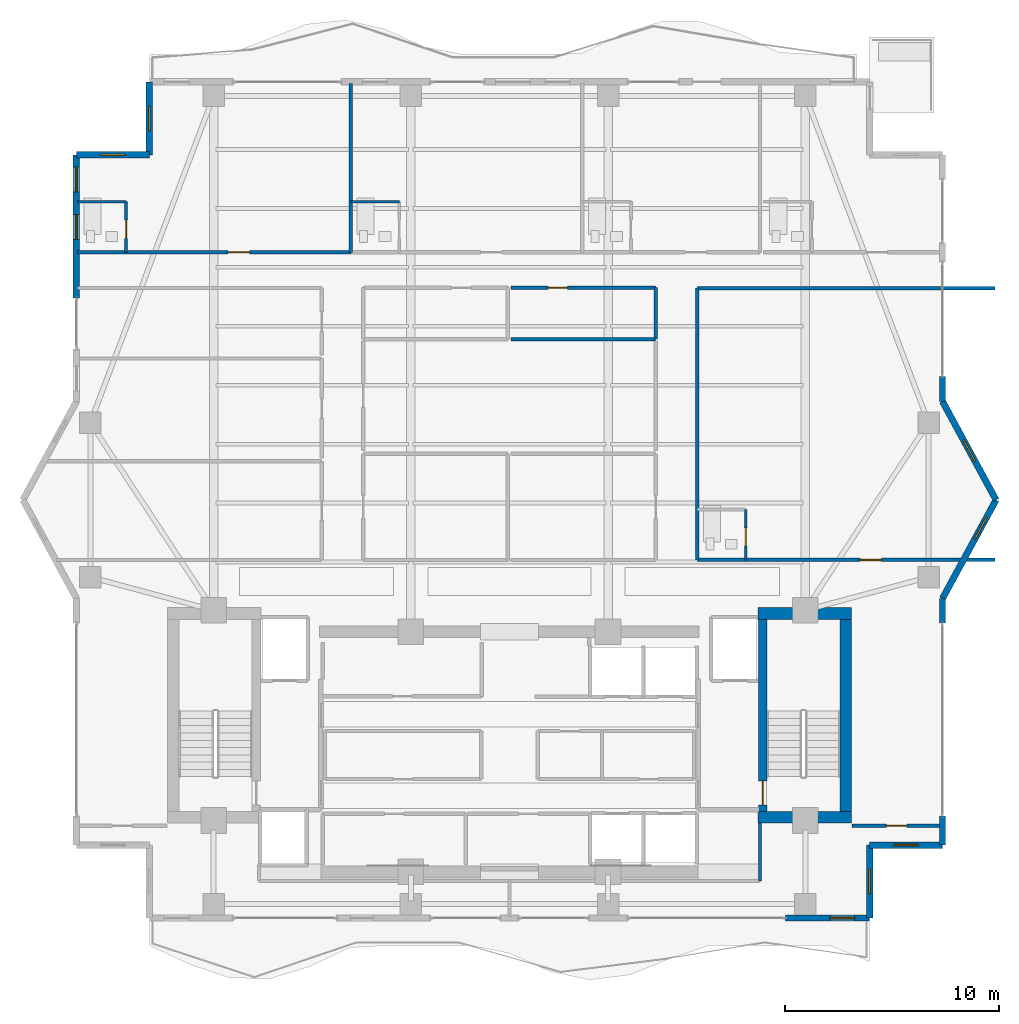
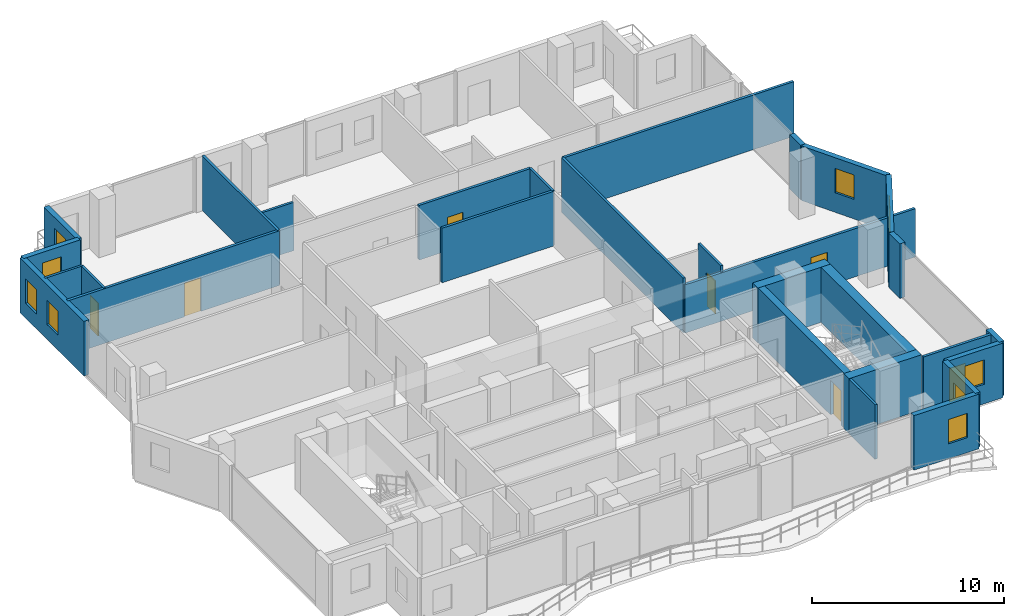
# One storey, part 19 of 23: 29 walls, 9 windows, 7 doors, 16 openings.
"""IFC4 building model written with IfcOpenShell, lengths in metres."""

from ifc_helpers import new_model, si_unit, direction, frame, frame_2d, origin, place, context, subcontext, project, spatial, rectangle, extrude, material, layer, layer_set, type_object, element, fill, save


model = new_model("IFC4")

# Units and contexts
model_context = context("Model", 3, precision=1e-05, world=origin(), true_north=direction((0.0, 1.0)))
body_context = subcontext(model_context, "Body", "Model", "MODEL_VIEW")
ifc_project = project(units=[si_unit("LENGTHUNIT", "METRE"), si_unit("AREAUNIT", "SQUARE_METRE"), si_unit("VOLUMEUNIT", "CUBIC_METRE"), si_unit("PLANEANGLEUNIT", "RADIAN"), si_unit("MASSUNIT", "GRAM", prefix="KILO")], contexts=[model_context])

# Site, building, storey
site_placement = place(None, origin())
site = spatial("IfcSite", under=ifc_project, at=site_placement, CompositionType="ELEMENT")
building_placement = place(site_placement, origin())
building = spatial("IfcBuilding", under=site, at=building_placement, Name="Zuhayl Quay Hotel", CompositionType="ELEMENT")
storey_placement = place(building_placement, frame((0.0, 0.0, 261.85009765625)))
storey = spatial("IfcBuildingStorey", under=building, at=storey_placement, Name="L66", CompositionType="ELEMENT", Elevation=261.85009765625)

# Walls
ifc_material_1 = material(Name="Concrete C50/60", Category="concrete")
ifc_layer_1 = layer(ifc_material_1, 0.550048828125, Name="Concrete C50/60", Category="concrete")
ifc_layer_set_1 = layer_set([ifc_layer_1], Name="Concrete C50/60")
wall_type_1 = type_object("IfcWallType", Name="WL_CORE_550", PredefinedType="SHEAR", material=ifc_layer_set_1)
wall_1_placement = place(storey_placement, frame((11.60009765625, 14.205078125, 0.0), z_axis=(0.0, 0.0, 1.0), x_axis=(1.0, 0.0, 0.0)))
element("IfcWall", 1, at=wall_1_placement, inside=storey, type_object=wall_type_1, Name="L66 Core Shear Wall CW_NE", PredefinedType="SHEAR", context=body_context, shape_type="SweptSolid", body=[
    extrude(rectangle(XDim=4.35986328125, YDim=0.550048828125, at=frame_2d((2.179931640625, 0.0))), origin(), (0.0, 0.0, 1.0), 3.510009765625),
])
wall_2_placement = place(storey_placement, frame((15.68505859375, 4.969970703125, 0.0), z_axis=(0.0, 0.0, 1.0), x_axis=(0.0, 1.0, 0.0)))
element("IfcWall", 2, at=wall_2_placement, inside=storey, type_object=wall_type_1, Name="L66 Core Shear Wall CW_E", PredefinedType="SHEAR", context=body_context, shape_type="SweptSolid", body=[
    extrude(rectangle(XDim=8.9599609375, YDim=0.550048828125, at=frame_2d((4.47998046875, 0.0))), origin(), (0.0, 0.0, 1.0), 3.510009765625),
])
wall_3_placement = place(storey_placement, frame((11.60009765625, 4.695068359375, 0.0), z_axis=(0.0, 0.0, 1.0), x_axis=(1.0, 0.0, 0.0)))
element("IfcWall", 3, at=wall_3_placement, inside=storey, type_object=wall_type_1, Name="L66 Core Shear Wall CW_SE", PredefinedType="SHEAR", context=body_context, shape_type="SweptSolid", body=[
    extrude(rectangle(XDim=4.35986328125, YDim=0.550048828125, at=frame_2d((2.179931640625, 0.0))), origin(), (0.0, 0.0, 1.0), 3.510009765625),
])

# Wall, openings, windows
ifc_material_2 = material(Name="Precast concrete C45/55", Category="concrete")
ifc_layer_2 = layer(ifc_material_2, 0.300048828125, Name="Precast concrete C45/55", Category="concrete")
ifc_layer_set_2 = layer_set([ifc_layer_2], Name="Precast concrete C45/55")
wall_type_2 = type_object("IfcWallType", Name="WL_EXT_300", PredefinedType="STANDARD", material=ifc_layer_set_2)
wall_4_placement = place(storey_placement, frame((-20.199951171875, 28.929931640625, 0.0), z_axis=(0.0, 0.0, 1.0), x_axis=(0.0, 1.0, 0.0)))
wall_4 = element("IfcWall", 4, at=wall_4_placement, inside=storey, type_object=wall_type_2, Name="L66 Exterior Precast Wall ENV_L66_E05_EW2", PredefinedType="STANDARD", context=body_context, shape_type="SweptSolid", body=[
    extrude(rectangle(XDim=6.670166015625, YDim=0.300048828125, at=frame_2d((3.3349609375, 0.0))), origin(), (0.0, 0.0, 1.0), 3.47998046875),
])
opening_1_placement = place(wall_4_placement, frame((2.72509765625, 0.0, 0.949951171875)))
opening_1 = element("IfcOpeningElement", 5, at=opening_1_placement, cuts=wall_4, Name="Opening W01N", PredefinedType="OPENING", context=body_context, shape_type="SweptSolid", body=[
    extrude(rectangle(XDim=1.14990234375, YDim=1.550048828125, at=frame_2d((0.574951171875, 0.77490234375))), frame((0.0, 0.159912109375, 0.0), z_axis=(0.0, -1.0, 0.0), x_axis=(1.0, 0.0, 0.0)), (0.0, 0.0, 1.0), 0.320068359375),
])
opening_2_placement = place(wall_4_placement, frame((4.93994140625, 0.0, 0.949951171875)))
opening_2 = element("IfcOpeningElement", 6, at=opening_2_placement, cuts=wall_4, Name="Opening W01N", PredefinedType="OPENING", context=body_context, shape_type="SweptSolid", body=[
    extrude(rectangle(XDim=1.14990234375, YDim=1.550048828125, at=frame_2d((0.574951171875, 0.77490234375))), frame((0.0, 0.159912109375, 0.0), z_axis=(0.0, -1.0, 0.0), x_axis=(1.0, 0.0, 0.0)), (0.0, 0.0, 1.0), 0.320068359375),
])
ifc_material_3 = material(Name="Dark Ceramic-Fritted Solar Glass", Category="glass")
window_type = type_object("IfcWindowType", Name="WN_NOTCH_1350", PartitioningType="SINGLE_PANEL", PredefinedType="WINDOW", material=ifc_material_3)
window_1_placement = place(opening_1_placement, origin())
window_1 = element("IfcWindow", 7, at=window_1_placement, inside=storey, type_object=window_type, Name="L66 Operable Facade Window 2-1", OverallHeight=1.550048828125, OverallWidth=1.14990234375, PartitioningType="SINGLE_PANEL", PredefinedType="WINDOW", context=body_context, shape_type="SweptSolid", body=[
    extrude(rectangle(XDim=1.14990234375, YDim=1.550048828125, at=frame_2d((0.574951171875, 0.77490234375))), frame((0.0, 0.030029296875, 0.0), z_axis=(0.0, -1.0, 0.0), x_axis=(1.0, 0.0, 0.0)), (0.0, 0.0, 1.0), 0.06005859375),
])
fill(opening_1, window_1)
window_2_placement = place(opening_2_placement, origin())
window_2 = element("IfcWindow", 8, at=window_2_placement, inside=storey, type_object=window_type, Name="L66 Operable Facade Window 2-2", OverallHeight=1.550048828125, OverallWidth=1.14990234375, PartitioningType="SINGLE_PANEL", PredefinedType="WINDOW", context=body_context, shape_type="SweptSolid", body=[
    extrude(rectangle(XDim=1.14990234375, YDim=1.550048828125, at=frame_2d((0.574951171875, 0.77490234375))), frame((0.0, 0.030029296875, 0.0), z_axis=(0.0, -1.0, 0.0), x_axis=(1.0, 0.0, 0.0)), (0.0, 0.0, 1.0), 0.06005859375),
])
fill(opening_2, window_2)

# Wall, opening, window
wall_5_placement = place(storey_placement, frame((-20.199951171875, 35.60009765625, 0.0), z_axis=(0.0, 0.0, 1.0), x_axis=(1.0, 0.0, 0.0)))
wall_5 = element("IfcWall", 9, at=wall_5_placement, inside=storey, type_object=wall_type_2, Name="L66 Exterior Precast Wall ENV_L66_EW06", PredefinedType="STANDARD", context=body_context, shape_type="SweptSolid", body=[
    extrude(rectangle(XDim=3.39990234375, YDim=0.300048828125, at=frame_2d((1.699951171875, 0.0))), origin(), (0.0, 0.0, 1.0), 3.47998046875),
])
opening_3_placement = place(wall_5_placement, frame((1.125, 0.0, 1.25)))
opening_3 = element("IfcOpeningElement", 10, at=opening_3_placement, cuts=wall_5, Name="Opening W01N", PredefinedType="OPENING", context=body_context, shape_type="SweptSolid", body=[
    extrude(rectangle(XDim=1.14990234375, YDim=1.550048828125, at=frame_2d((0.574951171875, 0.77490234375))), frame((0.0, 0.159912109375, 0.0), z_axis=(0.0, -1.0, 0.0), x_axis=(1.0, 0.0, 0.0)), (0.0, 0.0, 1.0), 0.320068359375),
])
window_3_placement = place(opening_3_placement, origin())
window_3 = element("IfcWindow", 11, at=window_3_placement, inside=storey, type_object=window_type, Name="L66 Corner Notch Window 6", OverallHeight=1.550048828125, OverallWidth=1.14990234375, PartitioningType="SINGLE_PANEL", PredefinedType="WINDOW", context=body_context, shape_type="SweptSolid", body=[
    extrude(rectangle(XDim=1.14990234375, YDim=1.550048828125, at=frame_2d((0.574951171875, 0.77490234375))), frame((0.0, 0.030029296875, 0.0), z_axis=(0.0, -1.0, 0.0), x_axis=(1.0, 0.0, 0.0)), (0.0, 0.0, 1.0), 0.06005859375),
])
fill(opening_3, window_3)

wall_6_placement = place(storey_placement, frame((-16.800048828125, 35.60009765625, 0.0), z_axis=(0.0, 0.0, 1.0), x_axis=(0.0, 1.0, 0.0)))
wall_6 = element("IfcWall", 12, at=wall_6_placement, inside=storey, type_object=wall_type_2, Name="L66 Exterior Precast Wall ENV_L66_EW07", PredefinedType="STANDARD", context=body_context, shape_type="SweptSolid", body=[
    extrude(rectangle(XDim=3.39990234375, YDim=0.300048828125, at=frame_2d((1.699951171875, 0.0))), origin(), (0.0, 0.0, 1.0), 3.47998046875),
])
opening_4_placement = place(wall_6_placement, frame((1.125, 0.0, 1.25)))
opening_4 = element("IfcOpeningElement", 13, at=opening_4_placement, cuts=wall_6, Name="Opening W01N", PredefinedType="OPENING", context=body_context, shape_type="SweptSolid", body=[
    extrude(rectangle(XDim=1.14990234375, YDim=1.550048828125, at=frame_2d((0.574951171875, 0.77490234375))), frame((0.0, 0.159912109375, 0.0), z_axis=(0.0, -1.0, 0.0), x_axis=(1.0, 0.0, 0.0)), (0.0, 0.0, 1.0), 0.320068359375),
])
window_4_placement = place(opening_4_placement, origin())
window_4 = element("IfcWindow", 14, at=window_4_placement, inside=storey, type_object=window_type, Name="L66 Corner Notch Window 7", OverallHeight=1.550048828125, OverallWidth=1.14990234375, PartitioningType="SINGLE_PANEL", PredefinedType="WINDOW", context=body_context, shape_type="SweptSolid", body=[
    extrude(rectangle(XDim=1.14990234375, YDim=1.550048828125, at=frame_2d((0.574951171875, 0.77490234375))), frame((0.0, 0.030029296875, 0.0), z_axis=(0.0, -1.0, 0.0), x_axis=(1.0, 0.0, 0.0)), (0.0, 0.0, 1.0), 0.06005859375),
])
fill(opening_4, window_4)

# Wall
wall_7_placement = place(storey_placement, frame((20.199951171875, 25.25, 0.0), z_axis=(0.0, 0.0, 1.0), x_axis=(0.0, -1.0, 0.0)))
element("IfcWall", 15, at=wall_7_placement, inside=storey, type_object=wall_type_2, Name="L66 Exterior Precast Wall ENV_L66_E11_EW3", PredefinedType="STANDARD", context=body_context, shape_type="SweptSolid", body=[
    extrude(rectangle(XDim=1.14990234375, YDim=0.300048828125, at=frame_2d((0.574951171875, 0.0))), origin(), (0.0, 0.0, 1.0), 3.47998046875),
])

# Wall, opening, window
wall_8_placement = place(storey_placement, frame((20.199951171875, 24.10009765625, 0.0), z_axis=(0.0, 0.0, 1.0), x_axis=(0.477505494629, -0.878628762675, 0.0)))
wall_8 = element("IfcWall", 16, at=wall_8_placement, inside=storey, type_object=wall_type_2, Name="L66 Exterior Precast Wall ENV_L66_EW12", PredefinedType="STANDARD", context=body_context, shape_type="SweptSolid", body=[
    extrude(rectangle(XDim=5.235595703125, YDim=0.300048828125, at=frame_2d((2.61767578125, 0.0))), origin(), (0.0, 0.0, 1.0), 3.47998046875),
])
opening_5_placement = place(wall_8_placement, frame((2.042724609375, 0.0, 1.25)))
opening_5 = element("IfcOpeningElement", 17, at=opening_5_placement, cuts=wall_8, Name="Opening W01N", PredefinedType="OPENING", context=body_context, shape_type="SweptSolid", body=[
    extrude(rectangle(XDim=1.14990234375, YDim=1.550048828125, at=frame_2d((0.574951171875, 0.77490234375))), frame((0.0, 0.159912109375, 0.0), z_axis=(0.0, -1.0, 0.0), x_axis=(1.0, 0.0, 0.0)), (0.0, 0.0, 1.0), 0.320068359375),
])
window_5_placement = place(opening_5_placement, origin())
window_5 = element("IfcWindow", 18, at=window_5_placement, inside=storey, type_object=window_type, Name="L66 Corner Notch Window 12", OverallHeight=1.550048828125, OverallWidth=1.14990234375, PartitioningType="SINGLE_PANEL", PredefinedType="WINDOW", context=body_context, shape_type="SweptSolid", body=[
    extrude(rectangle(XDim=1.14990234375, YDim=1.550048828125, at=frame_2d((0.574951171875, 0.77490234375))), frame((0.0, 0.030029296875, 0.0), z_axis=(0.0, -1.0, 0.0), x_axis=(1.0, 0.0, 0.0)), (0.0, 0.0, 1.0), 0.06005859375),
])
fill(opening_5, window_5)

wall_9_placement = place(storey_placement, frame((22.699951171875, 19.5, 0.0), z_axis=(0.0, 0.0, 1.0), x_axis=(-0.477505494629, -0.878628762675, 0.0)))
wall_9 = element("IfcWall", 19, at=wall_9_placement, inside=storey, type_object=wall_type_2, Name="L66 Exterior Precast Wall ENV_L66_EW13", PredefinedType="STANDARD", context=body_context, shape_type="SweptSolid", body=[
    extrude(rectangle(XDim=5.235595703125, YDim=0.300048828125, at=frame_2d((2.61767578125, 0.0))), origin(), (0.0, 0.0, 1.0), 3.47998046875),
])
opening_6_placement = place(wall_9_placement, frame((0.91064453125, 0.0, 1.25)))
opening_6 = element("IfcOpeningElement", 20, at=opening_6_placement, cuts=wall_9, Name="Opening W01N", PredefinedType="OPENING", context=body_context, shape_type="SweptSolid", body=[
    extrude(rectangle(XDim=1.14990234375, YDim=1.550048828125, at=frame_2d((0.574951171875, 0.77490234375))), frame((0.0, 0.159912109375, 0.0), z_axis=(0.0, -1.0, 0.0), x_axis=(1.0, 0.0, 0.0)), (0.0, 0.0, 1.0), 0.320068359375),
])
window_6_placement = place(opening_6_placement, origin())
window_6 = element("IfcWindow", 21, at=window_6_placement, inside=storey, type_object=window_type, Name="L66 Corner Notch Window 13", OverallHeight=1.550048828125, OverallWidth=1.14990234375, PartitioningType="SINGLE_PANEL", PredefinedType="WINDOW", context=body_context, shape_type="SweptSolid", body=[
    extrude(rectangle(XDim=1.14990234375, YDim=1.550048828125, at=frame_2d((0.574951171875, 0.77490234375))), frame((0.0, 0.030029296875, 0.0), z_axis=(0.0, -1.0, 0.0), x_axis=(1.0, 0.0, 0.0)), (0.0, 0.0, 1.0), 0.06005859375),
])
fill(opening_6, window_6)

# Walls
wall_10_placement = place(storey_placement, frame((20.199951171875, 14.89990234375, 0.0), z_axis=(0.0, 0.0, 1.0), x_axis=(0.0, -1.0, 0.0)))
element("IfcWall", 22, at=wall_10_placement, inside=storey, type_object=wall_type_2, Name="L66 Exterior Precast Wall ENV_L66_E14_EW1", PredefinedType="STANDARD", context=body_context, shape_type="SweptSolid", body=[
    extrude(rectangle(XDim=1.14990234375, YDim=0.300048828125, at=frame_2d((0.574951171875, 0.0))), origin(), (0.0, 0.0, 1.0), 3.47998046875),
])
wall_11_placement = place(storey_placement, frame((20.199951171875, 4.75, 0.0), z_axis=(0.0, 0.0, 1.0), x_axis=(0.0, -1.0, 0.0)))
element("IfcWall", 23, at=wall_11_placement, inside=storey, type_object=wall_type_2, Name="L66 Exterior Precast Wall ENV_L66_E14_EW2", PredefinedType="STANDARD", context=body_context, shape_type="SweptSolid", body=[
    extrude(rectangle(XDim=1.35009765625, YDim=0.300048828125, at=frame_2d((0.675048828125, 0.0))), origin(), (0.0, 0.0, 1.0), 3.47998046875),
])

# Wall, opening, window
wall_12_placement = place(storey_placement, frame((20.199951171875, 3.39990234375, 0.0), z_axis=(0.0, 0.0, 1.0), x_axis=(-1.0, 0.0, 0.0)))
wall_12 = element("IfcWall", 24, at=wall_12_placement, inside=storey, type_object=wall_type_2, Name="L66 Exterior Precast Wall ENV_L66_EW15", PredefinedType="STANDARD", context=body_context, shape_type="SweptSolid", body=[
    extrude(rectangle(XDim=3.39990234375, YDim=0.300048828125, at=frame_2d((1.699951171875, 0.0))), origin(), (0.0, 0.0, 1.0), 3.47998046875),
])
opening_7_placement = place(wall_12_placement, frame((1.125, 0.0, 1.25)))
opening_7 = element("IfcOpeningElement", 25, at=opening_7_placement, cuts=wall_12, Name="Opening W01N", PredefinedType="OPENING", context=body_context, shape_type="SweptSolid", body=[
    extrude(rectangle(XDim=1.14990234375, YDim=1.550048828125, at=frame_2d((0.574951171875, 0.77490234375))), frame((0.0, 0.159912109375, 0.0), z_axis=(0.0, -1.0, 0.0), x_axis=(1.0, 0.0, 0.0)), (0.0, 0.0, 1.0), 0.320068359375),
])
window_7_placement = place(opening_7_placement, origin())
window_7 = element("IfcWindow", 26, at=window_7_placement, inside=storey, type_object=window_type, Name="L66 Corner Notch Window 15", OverallHeight=1.550048828125, OverallWidth=1.14990234375, PartitioningType="SINGLE_PANEL", PredefinedType="WINDOW", context=body_context, shape_type="SweptSolid", body=[
    extrude(rectangle(XDim=1.14990234375, YDim=1.550048828125, at=frame_2d((0.574951171875, 0.77490234375))), frame((0.0, 0.030029296875, 0.0), z_axis=(0.0, -1.0, 0.0), x_axis=(1.0, 0.0, 0.0)), (0.0, 0.0, 1.0), 0.06005859375),
])
fill(opening_7, window_7)

wall_13_placement = place(storey_placement, frame((16.800048828125, 3.39990234375, 0.0), z_axis=(0.0, 0.0, 1.0), x_axis=(0.0, -1.0, 0.0)))
wall_13 = element("IfcWall", 27, at=wall_13_placement, inside=storey, type_object=wall_type_2, Name="L66 Exterior Precast Wall ENV_L66_EW16", PredefinedType="STANDARD", context=body_context, shape_type="SweptSolid", body=[
    extrude(rectangle(XDim=3.39990234375, YDim=0.300048828125, at=frame_2d((1.699951171875, 0.0))), origin(), (0.0, 0.0, 1.0), 3.47998046875),
])
opening_8_placement = place(wall_13_placement, frame((1.125, 0.0, 1.25)))
opening_8 = element("IfcOpeningElement", 28, at=opening_8_placement, cuts=wall_13, Name="Opening W01N", PredefinedType="OPENING", context=body_context, shape_type="SweptSolid", body=[
    extrude(rectangle(XDim=1.14990234375, YDim=1.550048828125, at=frame_2d((0.574951171875, 0.77490234375))), frame((0.0, 0.159912109375, 0.0), z_axis=(0.0, -1.0, 0.0), x_axis=(1.0, 0.0, 0.0)), (0.0, 0.0, 1.0), 0.320068359375),
])
window_8_placement = place(opening_8_placement, origin())
window_8 = element("IfcWindow", 29, at=window_8_placement, inside=storey, type_object=window_type, Name="L66 Corner Notch Window 16", OverallHeight=1.550048828125, OverallWidth=1.14990234375, PartitioningType="SINGLE_PANEL", PredefinedType="WINDOW", context=body_context, shape_type="SweptSolid", body=[
    extrude(rectangle(XDim=1.14990234375, YDim=1.550048828125, at=frame_2d((0.574951171875, 0.77490234375))), frame((0.0, 0.030029296875, 0.0), z_axis=(0.0, -1.0, 0.0), x_axis=(1.0, 0.0, 0.0)), (0.0, 0.0, 1.0), 0.06005859375),
])
fill(opening_8, window_8)

wall_14_placement = place(storey_placement, frame((16.800048828125, 0.0, 0.0), z_axis=(0.0, 0.0, 1.0), x_axis=(-1.0, 0.0, 0.0)))
wall_14 = element("IfcWall", 30, at=wall_14_placement, inside=storey, type_object=wall_type_2, Name="L66 Exterior Precast Wall ENV_L66_S_EW1", PredefinedType="STANDARD", context=body_context, shape_type="SweptSolid", body=[
    extrude(rectangle(XDim=3.920166015625, YDim=0.300048828125, at=frame_2d((1.9599609375, 0.0))), origin(), (0.0, 0.0, 1.0), 3.47998046875),
])
opening_9_placement = place(wall_14_placement, frame((0.695068359375, 0.0, 0.949951171875)))
opening_9 = element("IfcOpeningElement", 31, at=opening_9_placement, cuts=wall_14, Name="Opening W01N", PredefinedType="OPENING", context=body_context, shape_type="SweptSolid", body=[
    extrude(rectangle(XDim=1.14990234375, YDim=1.550048828125, at=frame_2d((0.574951171875, 0.77490234375))), frame((0.0, 0.159912109375, 0.0), z_axis=(0.0, -1.0, 0.0), x_axis=(1.0, 0.0, 0.0)), (0.0, 0.0, 1.0), 0.320068359375),
])
window_9_placement = place(opening_9_placement, origin())
window_9 = element("IfcWindow", 32, at=window_9_placement, inside=storey, type_object=window_type, Name="L66 Operable Facade Window 1-1", OverallHeight=1.550048828125, OverallWidth=1.14990234375, PartitioningType="SINGLE_PANEL", PredefinedType="WINDOW", context=body_context, shape_type="SweptSolid", body=[
    extrude(rectangle(XDim=1.14990234375, YDim=1.550048828125, at=frame_2d((0.574951171875, 0.77490234375))), frame((0.0, 0.030029296875, 0.0), z_axis=(0.0, -1.0, 0.0), x_axis=(1.0, 0.0, 0.0)), (0.0, 0.0, 1.0), 0.06005859375),
])
fill(opening_9, window_9)

# Walls
ifc_material_4 = material(Name="Acoustic Gypsum Partition STC-58")
ifc_layer_3 = layer(ifc_material_4, 0.14990234375, Name="Acoustic Gypsum Partition STC-58")
ifc_layer_set_3 = layer_set([ifc_layer_3], Name="Acoustic Gypsum Partition STC-58")
wall_type_3 = type_object("IfcWallType", Name="WL_PART_150", PredefinedType="PARTITIONING", material=ifc_layer_set_3)
wall_15_placement = place(storey_placement, frame((11.679931640625, 1.719970703125, 0.0), z_axis=(0.0, 0.0, 1.0), x_axis=(0.0, 1.0, 0.0)))
element("IfcWall", 33, at=wall_15_placement, inside=storey, type_object=wall_type_3, Name="L66 Partition IW_L66_Z4_SUN_SE_IN", PredefinedType="PARTITIONING", context=body_context, shape_type="SweptSolid", body=[
    extrude(rectangle(XDim=2.699951171875, YDim=0.14990234375, at=frame_2d((1.35009765625, 0.0))), origin(), (0.0, 0.0, 1.0), 3.47998046875),
])
wall_16_placement = place(storey_placement, frame((-7.39990234375, 31.050048828125, 0.0), z_axis=(0.0, 0.0, 1.0), x_axis=(0.0, 1.0, 0.0)))
element("IfcWall", 34, at=wall_16_placement, inside=storey, type_object=wall_type_3, Name="L66 Partition IW_L66_NU01_E", PredefinedType="PARTITIONING", context=body_context, shape_type="SweptSolid", body=[
    extrude(rectangle(XDim=7.869873046875, YDim=0.14990234375, at=frame_2d((3.93505859375, 0.0))), origin(), (0.0, 0.0, 1.0), 3.47998046875),
])
wall_17_placement = place(storey_placement, frame((0.080078125, 27.0, 0.0), z_axis=(0.0, 0.0, 1.0), x_axis=(1.0, 0.0, 0.0)))
element("IfcWall", 35, at=wall_17_placement, inside=storey, type_object=wall_type_3, Name="L66 Partition IW_L66_TEA_MAIN_S", PredefinedType="PARTITIONING", context=body_context, shape_type="SweptSolid", body=[
    extrude(rectangle(XDim=6.739990234375, YDim=0.14990234375, at=frame_2d((3.3701171875, 0.0))), origin(), (0.0, 0.0, 1.0), 3.47998046875),
])
wall_18_placement = place(storey_placement, frame((6.820068359375, 27.0, 0.0), z_axis=(0.0, 0.0, 1.0), x_axis=(0.0, 1.0, 0.0)))
element("IfcWall", 36, at=wall_18_placement, inside=storey, type_object=wall_type_3, Name="L66 Partition IW_L66_TEA_MAIN_E", PredefinedType="PARTITIONING", context=body_context, shape_type="SweptSolid", body=[
    extrude(rectangle(XDim=2.39990234375, YDim=0.14990234375, at=frame_2d((1.199951171875, 0.0))), origin(), (0.0, 0.0, 1.0), 3.47998046875),
])
wall_19_placement = place(storey_placement, frame((8.760009765625, 16.699951171875, 0.0), z_axis=(0.0, 0.0, 1.0), x_axis=(0.0, 1.0, 0.0)))
element("IfcWall", 37, at=wall_19_placement, inside=storey, type_object=wall_type_3, Name="L66 Partition IW_L66_EU01_W", PredefinedType="PARTITIONING", context=body_context, shape_type="SweptSolid", body=[
    extrude(rectangle(XDim=12.679931640625, YDim=0.14990234375, at=frame_2d((6.33984375, 0.0))), origin(), (0.0, 0.0, 1.0), 3.47998046875),
])

# Wall, opening, door
ifc_layer_4 = layer(ifc_material_4, 0.159912109375, Name="Acoustic Gypsum Partition STC-58")
ifc_layer_set_4 = layer_set([ifc_layer_4], Name="Acoustic Gypsum Partition STC-58")
wall_type_4 = type_object("IfcWallType", Name="WL_PART_CORR_160", PredefinedType="PARTITIONING", material=ifc_layer_set_4)
wall_20_placement = place(storey_placement, frame((15.97998046875, 4.300048828125, 0.0), z_axis=(0.0, 0.0, 1.0), x_axis=(1.0, 0.0, 0.0)))
wall_20 = element("IfcWall", 38, at=wall_20_placement, inside=storey, type_object=wall_type_4, Name="L66 Partition IW_L66_Z4_SUN_SE_N", PredefinedType="PARTITIONING", context=body_context, shape_type="SweptSolid", body=[
    extrude(rectangle(XDim=4.159912109375, YDim=0.159912109375, at=frame_2d((2.080078125, 0.0))), origin(), (0.0, 0.0, 1.0), 3.47998046875),
])
opening_10_placement = place(wall_20_placement, frame((1.60498046875, 0.0, 0.0)))
opening_10 = element("IfcOpeningElement", 39, at=opening_10_placement, cuts=wall_20, Name="Opening D03", PredefinedType="OPENING", context=body_context, shape_type="SweptSolid", body=[
    extrude(rectangle(XDim=0.949951171875, YDim=2.14990234375, at=frame_2d((0.47509765625, 1.074951171875))), frame((0.0, 0.08984375, 0.0), z_axis=(0.0, -1.0, 0.0), x_axis=(1.0, 0.0, 0.0)), (0.0, 0.0, 1.0), 0.179931640625),
])
ifc_material_5 = material(Name="Solid Walnut Acoustic Fire Door")
door_type_1 = type_object("IfcDoorType", Name="DR_SUITE_950", OperationType="NOTDEFINED", PredefinedType="DOOR", material=ifc_material_5)
door_1_placement = place(opening_10_placement, origin())
door_1 = element("IfcDoor", 40, at=door_1_placement, inside=storey, type_object=door_type_1, Name="L66 Sunset Salon SE Door", OperationType="SINGLE_SWING_LEFT", OverallHeight=2.14990234375, OverallWidth=0.949951171875, PredefinedType="DOOR", context=body_context, shape_type="SweptSolid", body=[
    extrude(rectangle(XDim=0.949951171875, YDim=2.14990234375, at=frame_2d((0.47509765625, 1.074951171875))), frame((0.0, 0.02490234375, 0.0), z_axis=(0.0, -1.0, 0.0), x_axis=(1.0, 0.0, 0.0)), (0.0, 0.0, 1.0), 0.050048828125),
])
fill(opening_10, door_1)

wall_21_placement = place(storey_placement, frame((-20.139892578125, 31.050048828125, 0.0), z_axis=(0.0, 0.0, 1.0), x_axis=(1.0, 0.0, 0.0)))
wall_21 = element("IfcWall", 41, at=wall_21_placement, inside=storey, type_object=wall_type_4, Name="L66 Partition IW_L66_NU01_COR", PredefinedType="PARTITIONING", context=body_context, shape_type="SweptSolid", body=[
    extrude(rectangle(XDim=12.739990234375, YDim=0.159912109375, at=frame_2d((6.3701171875, 0.0))), origin(), (0.0, 0.0, 1.0), 3.47998046875),
])
opening_11_placement = place(wall_21_placement, frame((7.02001953125, 0.0, 0.0)))
opening_11 = element("IfcOpeningElement", 42, at=opening_11_placement, cuts=wall_21, Name="Opening D03L", PredefinedType="OPENING", context=body_context, shape_type="SweptSolid", body=[
    extrude(rectangle(XDim=1.0, YDim=2.14990234375, at=frame_2d((0.5, 1.074951171875))), frame((0.0, 0.08984375, 0.0), z_axis=(0.0, -1.0, 0.0), x_axis=(1.0, 0.0, 0.0)), (0.0, 0.0, 1.0), 0.179931640625),
])
door_type_2 = type_object("IfcDoorType", Name="DR_SUITE_1000", OperationType="NOTDEFINED", PredefinedType="DOOR", material=ifc_material_5)
door_2_placement = place(opening_11_placement, origin())
door_2 = element("IfcDoor", 43, at=door_2_placement, inside=storey, type_object=door_type_2, Name="L66 Royal Gulf Suite L66-01 Entrance Door", OperationType="SINGLE_SWING_LEFT", OverallHeight=2.14990234375, OverallWidth=1.0, PredefinedType="DOOR", context=body_context, shape_type="SweptSolid", body=[
    extrude(rectangle(XDim=1.0, YDim=2.14990234375, at=frame_2d((0.5, 1.074951171875))), frame((0.0, 0.02490234375, 0.0), z_axis=(0.0, -1.0, 0.0), x_axis=(1.0, 0.0, 0.0)), (0.0, 0.0, 1.0), 0.050048828125),
])
fill(opening_11, door_2)

wall_22_placement = place(storey_placement, frame((0.080078125, 29.39990234375, 0.0), z_axis=(0.0, 0.0, 1.0), x_axis=(1.0, 0.0, 0.0)))
wall_22 = element("IfcWall", 44, at=wall_22_placement, inside=storey, type_object=wall_type_4, Name="L66 Partition IW_L66_TEA_MAIN_N", PredefinedType="PARTITIONING", context=body_context, shape_type="SweptSolid", body=[
    extrude(rectangle(XDim=6.739990234375, YDim=0.159912109375, at=frame_2d((3.3701171875, 0.0))), origin(), (0.0, 0.0, 1.0), 3.47998046875),
])
opening_12_placement = place(wall_22_placement, frame((1.7099609375, 0.0, 0.0)))
opening_12 = element("IfcOpeningElement", 45, at=opening_12_placement, cuts=wall_22, Name="Opening D05", PredefinedType="OPENING", context=body_context, shape_type="SweptSolid", body=[
    extrude(rectangle(XDim=0.919921875, YDim=2.1201171875, at=frame_2d((0.4599609375, 1.06005859375))), frame((0.0, 0.08984375, 0.0), z_axis=(0.0, -1.0, 0.0), x_axis=(1.0, 0.0, 0.0)), (0.0, 0.0, 1.0), 0.179931640625),
])
door_type_3 = type_object("IfcDoorType", Name="DR_INT_950", OperationType="NOTDEFINED", PredefinedType="DOOR", material=ifc_material_5)
door_3_placement = place(opening_12_placement, origin())
door_3 = element("IfcDoor", 46, at=door_3_placement, inside=storey, type_object=door_type_3, Name="L66 Floor Beverage Pantry Door", OperationType="SINGLE_SWING_LEFT", OverallHeight=2.1201171875, OverallWidth=0.919921875, PredefinedType="DOOR", context=body_context, shape_type="SweptSolid", body=[
    extrude(rectangle(XDim=0.919921875, YDim=2.1201171875, at=frame_2d((0.4599609375, 1.06005859375))), frame((0.0, 0.02490234375, 0.0), z_axis=(0.0, -1.0, 0.0), x_axis=(1.0, 0.0, 0.0)), (0.0, 0.0, 1.0), 0.050048828125),
])
fill(opening_12, door_3)

wall_23_placement = place(storey_placement, frame((8.760009765625, 16.699951171875, 0.0), z_axis=(0.0, 0.0, 1.0), x_axis=(1.0, 0.0, 0.0)))
wall_23 = element("IfcWall", 47, at=wall_23_placement, inside=storey, type_object=wall_type_4, Name="L66 Partition IW_L66_EU01_COR", PredefinedType="PARTITIONING", context=body_context, shape_type="SweptSolid", body=[
    extrude(rectangle(XDim=13.8798828125, YDim=0.159912109375, at=frame_2d((6.93994140625, 0.0))), origin(), (0.0, 0.0, 1.0), 3.075927734375),
])
opening_13_placement = place(wall_23_placement, frame((7.590087890625, 0.0, 0.0)))
opening_13 = element("IfcOpeningElement", 48, at=opening_13_placement, cuts=wall_23, Name="Opening D03L", PredefinedType="OPENING", context=body_context, shape_type="SweptSolid", body=[
    extrude(rectangle(XDim=1.0, YDim=2.14990234375, at=frame_2d((0.5, 1.074951171875))), frame((0.0, 0.08984375, 0.0), z_axis=(0.0, -1.0, 0.0), x_axis=(1.0, 0.0, 0.0)), (0.0, 0.0, 1.0), 0.179931640625),
])
door_4_placement = place(opening_13_placement, origin())
door_4 = element("IfcDoor", 49, at=door_4_placement, inside=storey, type_object=door_type_2, Name="L66 Grand Horizon East Suite L66 Entrance Door", OperationType="SINGLE_SWING_LEFT", OverallHeight=2.14990234375, OverallWidth=1.0, PredefinedType="DOOR", context=body_context, shape_type="SweptSolid", body=[
    extrude(rectangle(XDim=1.0, YDim=2.14990234375, at=frame_2d((0.5, 1.074951171875))), frame((0.0, 0.02490234375, 0.0), z_axis=(0.0, -1.0, 0.0), x_axis=(1.0, 0.0, 0.0)), (0.0, 0.0, 1.0), 0.050048828125),
])
fill(opening_13, door_4)

# Wall
wall_24_placement = place(storey_placement, frame((8.760009765625, 29.3798828125, 0.0), z_axis=(0.0, 0.0, 1.0), x_axis=(1.0, 0.0, 0.0)))
element("IfcWall", 50, at=wall_24_placement, inside=storey, type_object=wall_type_4, Name="L66 Partition IW_L66_EU01_BK", PredefinedType="PARTITIONING", context=body_context, shape_type="SweptSolid", body=[
    extrude(rectangle(XDim=13.8798828125, YDim=0.159912109375, at=frame_2d((6.93994140625, 0.0))), origin(), (0.0, 0.0, 1.0), 3.47998046875),
])

# Wall, opening, door
ifc_material_6 = material(Name="Moisture-Resistant Sanitarychase Gypsum")
ifc_layer_5 = layer(ifc_material_6, 0.135009765625, Name="Moisture-Resistant Sanitarychase Gypsum")
ifc_layer_set_5 = layer_set([ifc_layer_5], Name="Moisture-Resistant Sanitarychase Gypsum")
wall_type_5 = type_object("IfcWallType", Name="WL_PART_PLUMB_150", PredefinedType="PLUMBINGWALL", material=ifc_layer_set_5)
wall_25_placement = place(storey_placement, frame((-17.8798828125, 31.050048828125, 0.0), z_axis=(0.0, 0.0, 1.0), x_axis=(0.0, 1.0, 0.0)))
wall_25 = element("IfcWall", 51, at=wall_25_placement, inside=storey, type_object=wall_type_5, Name="L66 Partition IW_L66_NU01_BE", PredefinedType="PLUMBINGWALL", context=body_context, shape_type="SweptSolid", body=[
    extrude(rectangle(XDim=2.35986328125, YDim=0.135009765625, at=frame_2d((1.179931640625, 0.0))), origin(), (0.0, 0.0, 1.0), 3.47998046875),
])
opening_14_placement = place(wall_25_placement, frame((0.64990234375, 0.0, 0.0)))
opening_14 = element("IfcOpeningElement", 52, at=opening_14_placement, cuts=wall_25, Name="Opening D04", PredefinedType="OPENING", context=body_context, shape_type="SweptSolid", body=[
    extrude(rectangle(XDim=0.85009765625, YDim=2.10009765625, at=frame_2d((0.425048828125, 1.050048828125))), frame((0.0, 0.077392578125, 0.0), z_axis=(0.0, -1.0, 0.0), x_axis=(1.0, 0.0, 0.0)), (0.0, 0.0, 1.0), 0.155029296875),
])
ifc_material_7 = material(Name="Moisture-Resistant Walnut Veneer")
door_type_4 = type_object("IfcDoorType", Name="DR_BATH_850", OperationType="NOTDEFINED", PredefinedType="DOOR", material=ifc_material_7)
door_5_placement = place(opening_14_placement, origin())
door_5 = element("IfcDoor", 53, at=door_5_placement, inside=storey, type_object=door_type_4, Name="L66 Royal Gulf Suite L66-01 En-Suite Door", OperationType="SINGLE_SWING_RIGHT", OverallHeight=2.10009765625, OverallWidth=0.85009765625, PredefinedType="DOOR", context=body_context, shape_type="SweptSolid", body=[
    extrude(rectangle(XDim=0.85009765625, YDim=2.10009765625, at=frame_2d((0.425048828125, 1.050048828125))), frame((0.0, 0.02490234375, 0.0), z_axis=(0.0, -1.0, 0.0), x_axis=(1.0, 0.0, 0.0)), (0.0, 0.0, 1.0), 0.050048828125),
])
fill(opening_14, door_5)

wall_26_placement = place(storey_placement, frame((11.02001953125, 16.699951171875, 0.0), z_axis=(0.0, 0.0, 1.0), x_axis=(0.0, 1.0, 0.0)))
wall_26 = element("IfcWall", 54, at=wall_26_placement, inside=storey, type_object=wall_type_5, Name="L66 Partition IW_L66_EU01_BE", PredefinedType="PLUMBINGWALL", context=body_context, shape_type="SweptSolid", body=[
    extrude(rectangle(XDim=2.360107421875, YDim=0.135009765625, at=frame_2d((1.18017578125, 0.0))), origin(), (0.0, 0.0, 1.0), 3.47998046875),
])
opening_15_placement = place(wall_26_placement, frame((0.64990234375, 0.0, 0.0)))
opening_15 = element("IfcOpeningElement", 55, at=opening_15_placement, cuts=wall_26, Name="Opening D04", PredefinedType="OPENING", context=body_context, shape_type="SweptSolid", body=[
    extrude(rectangle(XDim=0.85009765625, YDim=2.10009765625, at=frame_2d((0.425048828125, 1.050048828125))), frame((0.0, 0.077392578125, 0.0), z_axis=(0.0, -1.0, 0.0), x_axis=(1.0, 0.0, 0.0)), (0.0, 0.0, 1.0), 0.155029296875),
])
door_6_placement = place(opening_15_placement, origin())
door_6 = element("IfcDoor", 56, at=door_6_placement, inside=storey, type_object=door_type_4, Name="L66 Grand Horizon East Suite L66 En-Suite Door", OperationType="SINGLE_SWING_RIGHT", OverallHeight=2.10009765625, OverallWidth=0.85009765625, PredefinedType="DOOR", context=body_context, shape_type="SweptSolid", body=[
    extrude(rectangle(XDim=0.85009765625, YDim=2.10009765625, at=frame_2d((0.425048828125, 1.050048828125))), frame((0.0, 0.02490234375, 0.0), z_axis=(0.0, -1.0, 0.0), x_axis=(1.0, 0.0, 0.0)), (0.0, 0.0, 1.0), 0.050048828125),
])
fill(opening_15, door_6)

# Walls
wall_27_placement = place(storey_placement, frame((-20.139892578125, 33.409912109375, 0.0), z_axis=(0.0, 0.0, 1.0), x_axis=(1.0, 0.0, 0.0)))
element("IfcWall", 57, at=wall_27_placement, inside=storey, type_object=wall_type_5, Name="L66 Partition IW_L66_NU01_BN", PredefinedType="PLUMBINGWALL", context=body_context, shape_type="SweptSolid", body=[
    extrude(rectangle(XDim=2.260009765625, YDim=0.135009765625, at=frame_2d((1.1298828125, 0.0))), origin(), (0.0, 0.0, 1.0), 3.47998046875),
])
wall_28_placement = place(storey_placement, frame((-7.39990234375, 33.409912109375, 0.0), z_axis=(0.0, 0.0, 1.0), x_axis=(1.0, 0.0, 0.0)))
element("IfcWall", 58, at=wall_28_placement, inside=storey, type_object=wall_type_5, Name="L66 Partition IW_L66_NU02_BN", PredefinedType="PLUMBINGWALL", context=body_context, shape_type="SweptSolid", body=[
    extrude(rectangle(XDim=2.260009765625, YDim=0.135009765625, at=frame_2d((1.1298828125, 0.0))), origin(), (0.0, 0.0, 1.0), 3.075927734375),
])

# Wall, opening, door
ifc_material_8 = material(Name="Concrete C60/75", Category="concrete")
ifc_layer_6 = layer(ifc_material_8, 0.39990234375, Name="Concrete C60/75", Category="concrete")
ifc_layer_set_6 = layer_set([ifc_layer_6], Name="Concrete C60/75")
wall_type_6 = type_object("IfcWallType", Name="WL_STAIR_400", PredefinedType="SHEAR", material=ifc_layer_set_6)
wall_29_placement = place(storey_placement, frame((11.820068359375, 13.929931640625, 0.0), z_axis=(0.0, 0.0, 1.0), x_axis=(0.0, -1.0, 0.0)))
wall_29 = element("IfcWall", 59, at=wall_29_placement, inside=storey, type_object=wall_type_6, Name="L66 Core Shear Wall SW_ST2", PredefinedType="SHEAR", context=body_context, shape_type="SweptSolid", body=[
    extrude(rectangle(XDim=8.9599609375, YDim=0.39990234375, at=frame_2d((4.47998046875, 0.0))), origin(), (0.0, 0.0, 1.0), 3.510009765625),
])
opening_16_placement = place(wall_29_placement, frame((7.530029296875, 0.0, 0.0)))
opening_16 = element("IfcOpeningElement", 60, at=opening_16_placement, cuts=wall_29, Name="Opening D01", PredefinedType="OPENING", context=body_context, shape_type="SweptSolid", body=[
    extrude(rectangle(XDim=1.1201171875, YDim=2.219970703125, at=frame_2d((0.56005859375, 1.10986328125))), frame((0.0, 0.2099609375, 0.0), z_axis=(0.0, -1.0, 0.0), x_axis=(1.0, 0.0, 0.0)), (0.0, 0.0, 1.0), 0.419921875),
])
ifc_material_9 = material(Name="Steel ASTM A992 Grade 50", Category="steel")
door_type_5 = type_object("IfcDoorType", Name="DR_STAIR_90_1100", OperationType="NOTDEFINED", PredefinedType="DOOR", material=ifc_material_9)
door_7_placement = place(opening_16_placement, origin())
door_7 = element("IfcDoor", 61, at=door_7_placement, inside=storey, type_object=door_type_5, Name="L66 Smokeproof Exit Stair ST2 Door", OperationType="SINGLE_SWING_RIGHT", OverallHeight=2.219970703125, OverallWidth=1.1201171875, PredefinedType="DOOR", context=body_context, shape_type="SweptSolid", body=[
    extrude(rectangle(XDim=1.1201171875, YDim=2.219970703125, at=frame_2d((0.56005859375, 1.10986328125))), frame((0.0, 0.02490234375, 0.0), z_axis=(0.0, -1.0, 0.0), x_axis=(1.0, 0.0, 0.0)), (0.0, 0.0, 1.0), 0.050048828125),
])
fill(opening_16, door_7)

save(model, "model.ifc")
